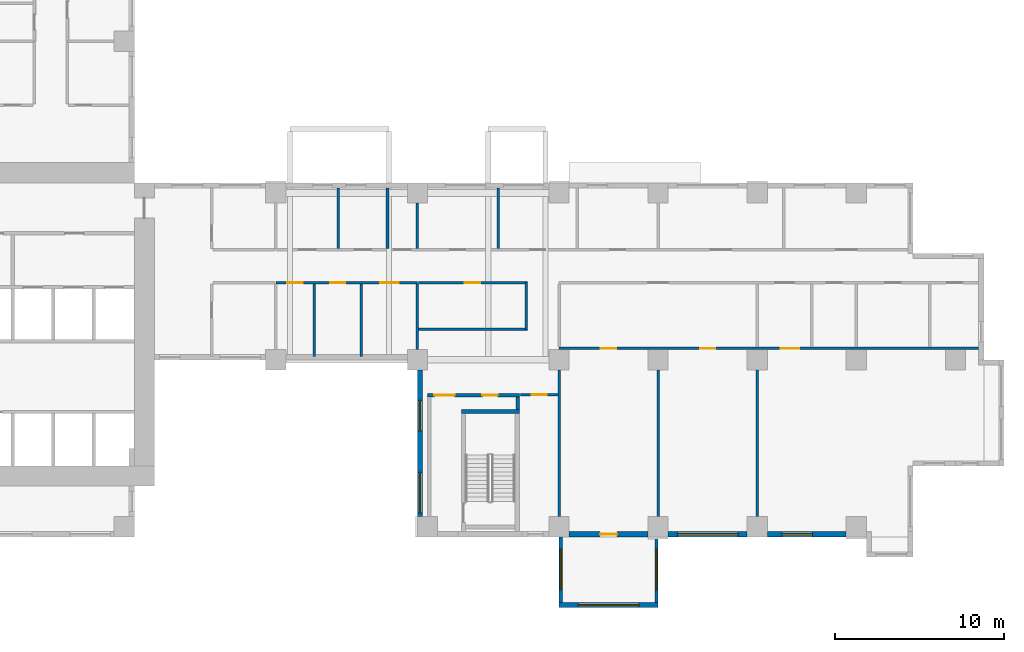
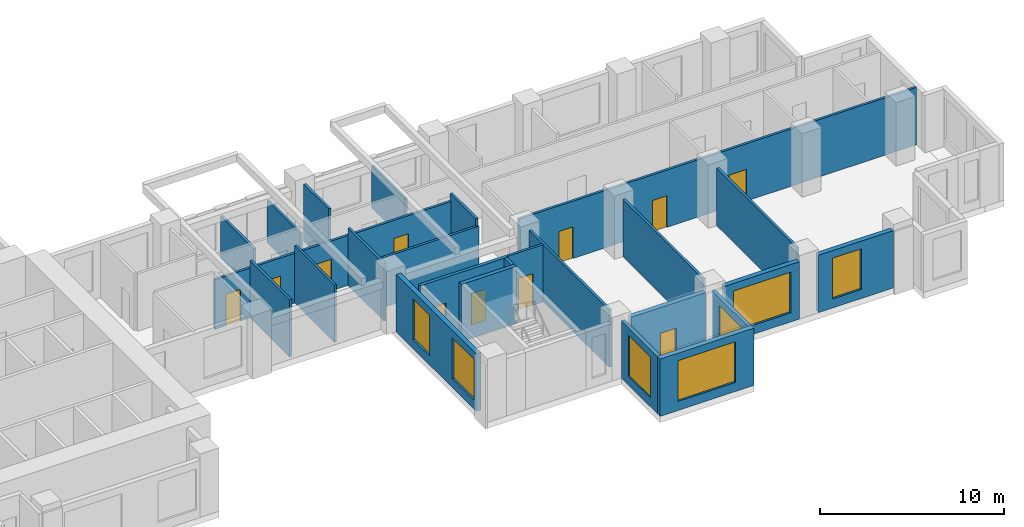
# One storey, part 8 of 18: 26 walls, 11 doors, 7 windows, 18 openings.
"""IFC4 building model written with IfcOpenShell, lengths in metres."""

from ifc_helpers import new_model, si_unit, direction, frame, frame_2d, origin, place, context, subcontext, project, spatial, rectangle, extrude, source, transform, mapped, material, layer, layer_set, type_object, element, fill, save


model = new_model("IFC4")

# Units and contexts
model_context = context("Model", 3, precision=1e-05, world=origin(), true_north=direction((0.0, 1.0)))
body_context = subcontext(model_context, "Body", "Model", "MODEL_VIEW")
ifc_project = project(units=[si_unit("LENGTHUNIT", "METRE"), si_unit("AREAUNIT", "SQUARE_METRE"), si_unit("VOLUMEUNIT", "CUBIC_METRE"), si_unit("PLANEANGLEUNIT", "RADIAN"), si_unit("MASSUNIT", "GRAM", prefix="KILO")], contexts=[model_context])

# Site, building, storey
site_placement = place(None, origin())
site = spatial("IfcSite", under=ifc_project, at=site_placement, CompositionType="ELEMENT")
building_placement = place(site_placement, origin())
building = spatial("IfcBuilding", under=site, at=building_placement, Name="Aurelian Terraces", CompositionType="ELEMENT")
storey_placement = place(building_placement, frame((0.0, 0.0, 99.3)))
storey = spatial("IfcBuildingStorey", under=building, at=storey_placement, Name="L21", CompositionType="ELEMENT", Elevation=99.3)

# Wall
ifc_material_1 = material(Name="Gypsum board on steel studs", Category="steel")
ifc_layer_1 = layer(ifc_material_1, 0.15)
ifc_layer_set_1 = layer_set([ifc_layer_1], Name="Partition 150")
wall_type_1 = type_object("IfcWallType", Name="Partition 150", PredefinedType="PARTITIONING", material=ifc_layer_set_1)
wall_1_placement = place(storey_placement, frame((37.875, 12.3, 0.0), z_axis=(0.0, 0.0, 1.0), x_axis=(1.0, 0.0, 0.0)))
element("IfcWall", 1, at=wall_1_placement, inside=storey, type_object=wall_type_1, Name="Partition", PredefinedType="PARTITIONING", context=body_context, shape_type="SweptSolid", body=[
    extrude(rectangle(XDim=6.45, YDim=0.15, at=frame_2d((3.225, 0.0))), origin(), (0.0, 0.0, 1.0), 3.3),
])

# Wall, opening, door
ifc_material_2 = material(Name="Terracotta rainscreen cladding", Category="masonry")
ifc_layer_2 = layer(ifc_material_2, 0.3)
ifc_layer_set_2 = layer_set([ifc_layer_2], Name="EW-300")
wall_type_2 = type_object("IfcWallType", Name="EW-300", PredefinedType="STANDARD", material=ifc_layer_set_2)
shared_shape_1 = source(origin(), body_context, "Body", "SweptSolid", [
    extrude(rectangle(XDim=4.68, YDim=0.3, at=frame_2d((2.34, 0.0))), origin(), (0.0, 0.0, 1.0), 3.8),
])
wall_2_placement = place(storey_placement, frame((46.8, 0.15, 0.0), z_axis=(0.0, 0.0, 1.0), x_axis=(1.0, 0.0, 0.0)))
wall_2 = element("IfcWall", 2, at=wall_2_placement, inside=storey, type_object=wall_type_2, Name="External wall L21 F05.10", PredefinedType="STANDARD", context=body_context, shape_type="MappedRepresentation", body=[
    mapped(shared_shape_1, transform((0.0, 0.0, 0.0), scale=1.0)),
])
shared_shape_2 = source(origin(), body_context, "Body", "SweptSolid", [
    extrude(rectangle(XDim=1.0, YDim=2.1, at=frame_2d((0.5, 1.05))), frame((0.0, 0.16, 0.0), z_axis=(0.0, -1.0, 0.0), x_axis=(1.0, 0.0, 0.0)), (0.0, 0.0, 1.0), 0.32),
])
opening_1_placement = place(wall_2_placement, frame((1.84, 0.0, 0.0)))
opening_1 = element("IfcOpeningElement", 3, at=opening_1_placement, cuts=wall_2, Name="Opening 821001", PredefinedType="OPENING", context=body_context, shape_type="MappedRepresentation", body=[
    mapped(shared_shape_2, transform((0.0, 0.0, 0.0), scale=1.0)),
])
ifc_material_3 = material(Name="Timber door leaf", Category="wood")
door_type_1 = type_object("IfcDoorType", Name="Room door 1000x2100 left", OperationType="SINGLE_SWING_LEFT", PredefinedType="DOOR", material=ifc_material_3)
shared_shape_3 = source(origin(), body_context, "Body", "SweptSolid", [
    extrude(rectangle(XDim=1.0, YDim=2.1, at=frame_2d((0.5, 1.05))), frame((0.0, 0.025, 0.0), z_axis=(0.0, -1.0, 0.0), x_axis=(1.0, 0.0, 0.0)), (0.0, 0.0, 1.0), 0.05),
])
door_1_placement = place(opening_1_placement, origin())
door_1 = element("IfcDoor", 4, at=door_1_placement, inside=storey, type_object=door_type_1, Name="Door 821001", OperationType="SINGLE_SWING_LEFT", OverallHeight=2.1, OverallWidth=1.0, PredefinedType="DOOR", context=body_context, shape_type="MappedRepresentation", body=[
    mapped(shared_shape_3, transform((0.0, 0.0, 0.0), scale=1.0)),
])
fill(opening_1, door_1)

# Wall, opening, window
wall_3_placement = place(storey_placement, frame((52.68, 0.15, 0.0), z_axis=(0.0, 0.0, 1.0), x_axis=(1.0, 0.0, 0.0)))
wall_3 = element("IfcWall", 5, at=wall_3_placement, inside=storey, type_object=wall_type_2, Name="External wall L21 F05.11", PredefinedType="STANDARD", context=body_context, shape_type="MappedRepresentation", body=[
    mapped(shared_shape_1, transform((0.0, 0.0, 0.0), scale=1.0)),
])
shared_shape_4 = source(origin(), body_context, "Body", "SweptSolid", [
    extrude(rectangle(XDim=3.6, YDim=2.7, at=frame_2d((1.8, 1.35))), frame((0.0, 0.16, 0.0), z_axis=(0.0, -1.0, 0.0), x_axis=(1.0, 0.0, 0.0)), (0.0, 0.0, 1.0), 0.32),
])
opening_2_placement = place(wall_3_placement, frame((0.54, 0.0, 0.6)))
opening_2 = element("IfcOpeningElement", 6, at=opening_2_placement, cuts=wall_3, Name="Opening W3627", PredefinedType="OPENING", context=body_context, shape_type="MappedRepresentation", body=[
    mapped(shared_shape_4, transform((0.0, 0.0, 0.0), scale=1.0)),
])
ifc_material_4 = material(Name="Clear glazing", Category="glass")
window_type_1 = type_object("IfcWindowType", Name="W-3600x2700", PartitioningType="SINGLE_PANEL", PredefinedType="WINDOW", material=ifc_material_4)
shared_shape_5 = source(origin(), body_context, "Body", "SweptSolid", [
    extrude(rectangle(XDim=3.6, YDim=2.7, at=frame_2d((1.8, 1.35))), frame((0.0, 0.03, 0.0), z_axis=(0.0, -1.0, 0.0), x_axis=(1.0, 0.0, 0.0)), (0.0, 0.0, 1.0), 0.06),
])
window_1_placement = place(opening_2_placement, origin())
window_1 = element("IfcWindow", 7, at=window_1_placement, inside=storey, type_object=window_type_1, Name="Window L21 L21-F05-11-0", OverallHeight=2.7, OverallWidth=3.6, PartitioningType="SINGLE_PANEL", PredefinedType="WINDOW", context=body_context, shape_type="MappedRepresentation", body=[
    mapped(shared_shape_5, transform((0.0, 0.0, 0.0), scale=1.0)),
])
fill(opening_2, window_1)

wall_4_placement = place(storey_placement, frame((58.56, 0.15, 0.0), z_axis=(0.0, 0.0, 1.0), x_axis=(1.0, 0.0, 0.0)))
wall_4 = element("IfcWall", 8, at=wall_4_placement, inside=storey, type_object=wall_type_2, Name="External wall L21 F05.12", PredefinedType="STANDARD", context=body_context, shape_type="MappedRepresentation", body=[
    mapped(shared_shape_1, transform((0.0, 0.0, 0.0), scale=1.0)),
])
shared_shape_6 = source(origin(), body_context, "Body", "SweptSolid", [
    extrude(rectangle(XDim=1.8, YDim=2.7, at=frame_2d((0.9, 1.35))), frame((0.0, 0.16, 0.0), z_axis=(0.0, -1.0, 0.0), x_axis=(1.0, 0.0, 0.0)), (0.0, 0.0, 1.0), 0.32),
])
opening_3_placement = place(wall_4_placement, frame((0.8775, 0.0, 0.6)))
opening_3 = element("IfcOpeningElement", 9, at=opening_3_placement, cuts=wall_4, Name="Opening W1827", PredefinedType="OPENING", context=body_context, shape_type="MappedRepresentation", body=[
    mapped(shared_shape_6, transform((0.0, 0.0, 0.0), scale=1.0)),
])
window_type_2 = type_object("IfcWindowType", Name="W-1800x2700", PartitioningType="SINGLE_PANEL", PredefinedType="WINDOW", material=ifc_material_4)
shared_shape_7 = source(origin(), body_context, "Body", "SweptSolid", [
    extrude(rectangle(XDim=1.8, YDim=2.7, at=frame_2d((0.9, 1.35))), frame((0.0, 0.03, 0.0), z_axis=(0.0, -1.0, 0.0), x_axis=(1.0, 0.0, 0.0)), (0.0, 0.0, 1.0), 0.06),
])
window_2_placement = place(opening_3_placement, origin())
window_2 = element("IfcWindow", 10, at=window_2_placement, inside=storey, type_object=window_type_2, Name="Window L21 L21-F05-12-0", OverallHeight=2.7, OverallWidth=1.8, PartitioningType="SINGLE_PANEL", PredefinedType="WINDOW", context=body_context, shape_type="MappedRepresentation", body=[
    mapped(shared_shape_7, transform((0.0, 0.0, 0.0), scale=1.0)),
])
fill(opening_3, window_2)

ifc_material_5 = material(Name="Concrete fc' 40 MPa", Category="concrete")
ifc_layer_3 = layer(ifc_material_5, 0.2)
ifc_layer_set_3 = layer_set([ifc_layer_3], Name="BOX BEARING WALL 200")
wall_type_3 = type_object("IfcWallType", Name="BOX BEARING WALL 200", PredefinedType="SOLIDWALL", material=ifc_layer_set_3)
shared_shape_8 = source(origin(), body_context, "Body", "SweptSolid", [
    extrude(rectangle(XDim=3.9, YDim=0.2, at=frame_2d((1.95, 0.0))), origin(), (0.0, 0.0, 1.0), 3.8),
])
wall_5_placement = place(storey_placement, frame((46.3, 0.0, 0.0), z_axis=(0.0, 0.0, 1.0), x_axis=(0.0, -1.0, 0.0)))
wall_5 = element("IfcWall", 11, at=wall_5_placement, inside=storey, type_object=wall_type_3, Name="Box return L21 J28.1", PredefinedType="SOLIDWALL", context=body_context, shape_type="MappedRepresentation", body=[
    mapped(shared_shape_8, transform((0.0, 0.0, 0.0), scale=1.0)),
])
shared_shape_9 = source(origin(), body_context, "Body", "SweptSolid", [
    extrude(rectangle(XDim=2.4, YDim=2.7, at=frame_2d((1.2, 1.35))), frame((0.0, 0.11, 0.0), z_axis=(0.0, -1.0, 0.0), x_axis=(1.0, 0.0, 0.0)), (0.0, 0.0, 1.0), 0.22),
])
opening_4_placement = place(wall_5_placement, frame((0.75, 0.0, 0.6)))
opening_4 = element("IfcOpeningElement", 12, at=opening_4_placement, cuts=wall_5, Name="Opening W2427", PredefinedType="OPENING", context=body_context, shape_type="MappedRepresentation", body=[
    mapped(shared_shape_9, transform((0.0, 0.0, 0.0), scale=1.0)),
])
window_type_3 = type_object("IfcWindowType", Name="W-2400x2700", PartitioningType="SINGLE_PANEL", PredefinedType="WINDOW", material=ifc_material_4)
shared_shape_10 = source(origin(), body_context, "Body", "SweptSolid", [
    extrude(rectangle(XDim=2.4, YDim=2.7, at=frame_2d((1.2, 1.35))), frame((0.0, 0.03, 0.0), z_axis=(0.0, -1.0, 0.0), x_axis=(1.0, 0.0, 0.0)), (0.0, 0.0, 1.0), 0.06),
])
window_3_placement = place(opening_4_placement, origin())
window_3 = element("IfcWindow", 13, at=window_3_placement, inside=storey, type_object=window_type_3, Name="Window L21 J28-S1", OverallHeight=2.7, OverallWidth=2.4, PartitioningType="SINGLE_PANEL", PredefinedType="WINDOW", context=body_context, shape_type="MappedRepresentation", body=[
    mapped(shared_shape_10, transform((0.0, 0.0, 0.0), scale=1.0)),
])
fill(opening_4, window_3)

wall_6_placement = place(storey_placement, frame((51.98, 0.0, 0.0), z_axis=(0.0, 0.0, 1.0), x_axis=(0.0, -1.0, 0.0)))
wall_6 = element("IfcWall", 14, at=wall_6_placement, inside=storey, type_object=wall_type_3, Name="Box return L21 J28.2", PredefinedType="SOLIDWALL", context=body_context, shape_type="MappedRepresentation", body=[
    mapped(shared_shape_8, transform((0.0, 0.0, 0.0), scale=1.0)),
])
opening_5_placement = place(wall_6_placement, frame((0.75, 0.0, 0.6)))
opening_5 = element("IfcOpeningElement", 15, at=opening_5_placement, cuts=wall_6, Name="Opening W2427", PredefinedType="OPENING", context=body_context, shape_type="MappedRepresentation", body=[
    mapped(shared_shape_9, transform((0.0, 0.0, 0.0), scale=1.0)),
])
window_4_placement = place(opening_5_placement, origin())
window_4 = element("IfcWindow", 16, at=window_4_placement, inside=storey, type_object=window_type_3, Name="Window L21 J28-S2", OverallHeight=2.7, OverallWidth=2.4, PartitioningType="SINGLE_PANEL", PredefinedType="WINDOW", context=body_context, shape_type="MappedRepresentation", body=[
    mapped(shared_shape_10, transform((0.0, 0.0, 0.0), scale=1.0)),
])
fill(opening_5, window_4)

ifc_layer_4 = layer(ifc_material_5, 0.3)
ifc_layer_set_4 = layer_set([ifc_layer_4], Name="BOX BEARING WALL 300")
wall_type_4 = type_object("IfcWallType", Name="BOX BEARING WALL 300", PredefinedType="SOLIDWALL", material=ifc_layer_set_4)
shared_shape_11 = source(origin(), body_context, "Body", "SweptSolid", [
    extrude(rectangle(XDim=5.88, YDim=0.3, at=frame_2d((2.94, 0.0))), origin(), (0.0, 0.0, 1.0), 3.8),
])
wall_7_placement = place(storey_placement, frame((46.2, -4.05, 0.0), z_axis=(0.0, 0.0, 1.0), x_axis=(1.0, 0.0, 0.0)))
wall_7 = element("IfcWall", 17, at=wall_7_placement, inside=storey, type_object=wall_type_4, Name="Box wall L21 J28", PredefinedType="SOLIDWALL", context=body_context, shape_type="MappedRepresentation", body=[
    mapped(shared_shape_11, transform((0.0, 0.0, 0.0), scale=1.0)),
])
opening_6_placement = place(wall_7_placement, frame((1.14, 0.0, 0.6)))
opening_6 = element("IfcOpeningElement", 18, at=opening_6_placement, cuts=wall_7, Name="Opening W3627", PredefinedType="OPENING", context=body_context, shape_type="MappedRepresentation", body=[
    mapped(shared_shape_4, transform((0.0, 0.0, 0.0), scale=1.0)),
])
window_5_placement = place(opening_6_placement, origin())
window_5 = element("IfcWindow", 19, at=window_5_placement, inside=storey, type_object=window_type_1, Name="Window L21 J28-F1", OverallHeight=2.7, OverallWidth=3.6, PartitioningType="SINGLE_PANEL", PredefinedType="WINDOW", context=body_context, shape_type="MappedRepresentation", body=[
    mapped(shared_shape_5, transform((0.0, 0.0, 0.0), scale=1.0)),
])
fill(opening_6, window_5)

# Wall, openings, windows
shared_shape_12 = source(origin(), body_context, "Body", "SweptSolid", [
    extrude(rectangle(XDim=8.7, YDim=0.3, at=frame_2d((4.35, 0.0))), origin(), (0.0, 0.0, 1.0), 3.8),
])
wall_8_placement = place(storey_placement, frame((37.95, 9.9, 0.0), z_axis=(0.0, 0.0, 1.0), x_axis=(0.0, -1.0, 0.0)))
wall_8 = element("IfcWall", 20, at=wall_8_placement, inside=storey, type_object=wall_type_2, Name="External wall L21 F04.8", PredefinedType="STANDARD", context=body_context, shape_type="MappedRepresentation", body=[
    mapped(shared_shape_12, transform((0.0, 0.0, 0.0), scale=1.0)),
])
opening_7_placement = place(wall_8_placement, frame((1.8125, 0.0, 0.6)))
opening_7 = element("IfcOpeningElement", 21, at=opening_7_placement, cuts=wall_8, Name="Opening W1827", PredefinedType="OPENING", context=body_context, shape_type="MappedRepresentation", body=[
    mapped(shared_shape_6, transform((0.0, 0.0, 0.0), scale=1.0)),
])
shared_shape_13 = source(origin(), body_context, "Body", "SweptSolid", [
    extrude(rectangle(XDim=2.4, YDim=2.7, at=frame_2d((1.2, 1.35))), frame((0.0, 0.16, 0.0), z_axis=(0.0, -1.0, 0.0), x_axis=(1.0, 0.0, 0.0)), (0.0, 0.0, 1.0), 0.32),
])
opening_8_placement = place(wall_8_placement, frame((6.075, 0.0, 0.6)))
opening_8 = element("IfcOpeningElement", 22, at=opening_8_placement, cuts=wall_8, Name="Opening W2427", PredefinedType="OPENING", context=body_context, shape_type="MappedRepresentation", body=[
    mapped(shared_shape_13, transform((0.0, 0.0, 0.0), scale=1.0)),
])
window_6_placement = place(opening_8_placement, origin())
window_6 = element("IfcWindow", 23, at=window_6_placement, inside=storey, type_object=window_type_3, Name="Window L21 L21-F04-08-1", OverallHeight=2.7, OverallWidth=2.4, PartitioningType="SINGLE_PANEL", PredefinedType="WINDOW", context=body_context, shape_type="MappedRepresentation", body=[
    mapped(shared_shape_10, transform((0.0, 0.0, 0.0), scale=1.0)),
])
fill(opening_8, window_6)
window_7_placement = place(opening_7_placement, origin())
window_7 = element("IfcWindow", 24, at=window_7_placement, inside=storey, type_object=window_type_2, Name="Window L21 L21-F04-08-0", OverallHeight=2.7, OverallWidth=1.8, PartitioningType="SINGLE_PANEL", PredefinedType="WINDOW", context=body_context, shape_type="MappedRepresentation", body=[
    mapped(shared_shape_7, transform((0.0, 0.0, 0.0), scale=1.0)),
])
fill(opening_7, window_7)

# Wall
ifc_layer_5 = layer(ifc_material_5, 0.25)
ifc_layer_set_5 = layer_set([ifc_layer_5], Name="Stair enclosure wall 250")
wall_type_5 = type_object("IfcWallType", Name="Stair enclosure wall 250", PredefinedType="SOLIDWALL", material=ifc_layer_set_5)
shared_shape_14 = source(origin(), body_context, "Body", "SweptSolid", [
    extrude(rectangle(XDim=3.45, YDim=0.25, at=frame_2d((1.725, 0.0))), origin(), (0.0, 0.0, 1.0), 3.8),
])
wall_9_placement = place(storey_placement, frame((40.4, 7.425, 0.0), z_axis=(0.0, 0.0, 1.0), x_axis=(1.0, 0.0, 0.0)))
element("IfcWall", 25, at=wall_9_placement, inside=storey, type_object=wall_type_5, Name="L21 core wall ST-S2-N", PredefinedType="SOLIDWALL", context=body_context, shape_type="MappedRepresentation", body=[
    mapped(shared_shape_14, transform((0.0, 0.0, 0.0), scale=1.0)),
])

# Wall, openings, doors
ifc_layer_6 = layer(ifc_material_1, 0.2)
ifc_layer_set_6 = layer_set([ifc_layer_6], Name="Core partition 200")
wall_type_6 = type_object("IfcWallType", Name="Core partition 200", PredefinedType="PARTITIONING", material=ifc_layer_set_6)
shared_shape_15 = source(origin(), body_context, "Body", "SweptSolid", [
    extrude(rectangle(XDim=5.45, YDim=0.2, at=frame_2d((2.725, 0.0))), origin(), (0.0, 0.0, 1.0), 3.8),
])
wall_10_placement = place(storey_placement, frame((38.4, 8.4, 0.0), z_axis=(0.0, 0.0, 1.0), x_axis=(1.0, 0.0, 0.0)))
wall_10 = element("IfcWall", 26, at=wall_10_placement, inside=storey, type_object=wall_type_6, Name="L21 core wall ST-S2-BN", PredefinedType="PARTITIONING", context=body_context, shape_type="MappedRepresentation", body=[
    mapped(shared_shape_15, transform((0.0, 0.0, 0.0), scale=1.0)),
])
shared_shape_16 = source(origin(), body_context, "Body", "SweptSolid", [
    extrude(rectangle(XDim=1.2, YDim=2.1, at=frame_2d((0.6, 1.05))), frame((0.0, 0.11, 0.0), z_axis=(0.0, -1.0, 0.0), x_axis=(1.0, 0.0, 0.0)), (0.0, 0.0, 1.0), 0.22),
])
opening_9_placement = place(wall_10_placement, frame((0.4, 0.0, 0.0)))
opening_9 = element("IfcOpeningElement", 27, at=opening_9_placement, cuts=wall_10, Name="Opening 62415", PredefinedType="OPENING", context=body_context, shape_type="MappedRepresentation", body=[
    mapped(shared_shape_16, transform((0.0, 0.0, 0.0), scale=1.0)),
])
shared_shape_17 = source(origin(), body_context, "Body", "SweptSolid", [
    extrude(rectangle(XDim=0.9, YDim=2.1, at=frame_2d((0.45, 1.05))), frame((0.0, 0.11, 0.0), z_axis=(0.0, -1.0, 0.0), x_axis=(1.0, 0.0, 0.0)), (0.0, 0.0, 1.0), 0.22),
])
opening_10_placement = place(wall_10_placement, frame((3.25, 0.0, 0.0)))
opening_10 = element("IfcOpeningElement", 28, at=opening_10_placement, cuts=wall_10, Name="Opening 62416", PredefinedType="OPENING", context=body_context, shape_type="MappedRepresentation", body=[
    mapped(shared_shape_17, transform((0.0, 0.0, 0.0), scale=1.0)),
])
ifc_material_6 = material(Name="Steel door leaf", Category="steel")
door_type_2 = type_object("IfcDoorType", Name="Core riser door 900x2100", OperationType="SINGLE_SWING_LEFT", PredefinedType="DOOR", material=ifc_material_6)
shared_shape_18 = source(origin(), body_context, "Body", "SweptSolid", [
    extrude(rectangle(XDim=0.9, YDim=2.1, at=frame_2d((0.45, 1.05))), frame((0.0, 0.025, 0.0), z_axis=(0.0, -1.0, 0.0), x_axis=(1.0, 0.0, 0.0)), (0.0, 0.0, 1.0), 0.05),
])
door_2_placement = place(opening_10_placement, origin())
door_2 = element("IfcDoor", 29, at=door_2_placement, inside=storey, type_object=door_type_2, Name="Riser door 62416", OperationType="SINGLE_SWING_LEFT", OverallHeight=2.1, OverallWidth=0.9, PredefinedType="DOOR", context=body_context, shape_type="MappedRepresentation", body=[
    mapped(shared_shape_18, transform((0.0, 0.0, 0.0), scale=1.0)),
])
fill(opening_10, door_2)
door_type_3 = type_object("IfcDoorType", Name="Core fire door 1200x2100 right", OperationType="SINGLE_SWING_RIGHT", PredefinedType="DOOR", material=ifc_material_6)
shared_shape_19 = source(origin(), body_context, "Body", "SweptSolid", [
    extrude(rectangle(XDim=1.2, YDim=2.1, at=frame_2d((0.6, 1.05))), frame((0.0, 0.025, 0.0), z_axis=(0.0, -1.0, 0.0), x_axis=(1.0, 0.0, 0.0)), (0.0, 0.0, 1.0), 0.05),
])
door_3_placement = place(opening_9_placement, origin())
door_3 = element("IfcDoor", 30, at=door_3_placement, inside=storey, type_object=door_type_3, Name="Vestibule door 62415", OperationType="SINGLE_SWING_RIGHT", OverallHeight=2.1, OverallWidth=1.2, PredefinedType="DOOR", context=body_context, shape_type="MappedRepresentation", body=[
    mapped(shared_shape_19, transform((0.0, 0.0, 0.0), scale=1.0)),
])
fill(opening_9, door_3)

# Walls
shared_shape_20 = source(origin(), body_context, "Body", "SweptSolid", [
    extrude(rectangle(XDim=0.75, YDim=0.2, at=frame_2d((0.375, 0.0))), origin(), (0.0, 0.0, 1.0), 3.8),
])
wall_11_placement = place(storey_placement, frame((43.75, 7.55, 0.0), z_axis=(0.0, 0.0, 1.0), x_axis=(0.0, 1.0, 0.0)))
element("IfcWall", 31, at=wall_11_placement, inside=storey, type_object=wall_type_6, Name="L21 core wall ST-S2-RE", PredefinedType="PARTITIONING", context=body_context, shape_type="MappedRepresentation", body=[
    mapped(shared_shape_20, transform((0.0, 0.0, 0.0), scale=1.0)),
])
shared_shape_21 = source(origin(), body_context, "Body", "SweptSolid", [
    extrude(rectangle(XDim=8.702, YDim=0.15, at=frame_2d((4.351, 0.0))), origin(), (0.0, 0.0, 1.0), 3.8),
])
for number, where, z_axis, x_axis, name in (
    (32, (52.08, 1.199, 0.0), (0.0, 0.0, 1.0), (0.0, 1.0, 0.0), "Partition"),
    (33, (46.2, 1.199, 0.0), (0.0, 0.0, 1.0), (0.0, 1.0, 0.0), "Partition"),
    (34, (57.96, 1.199, 0.0), (0.0, 0.0, 1.0), (0.0, 1.0, 0.0), "Partition"),
):
    element("IfcWall", number, at=place(storey_placement, frame(where, z_axis=z_axis, x_axis=x_axis)), inside=storey, type_object=wall_type_1, Name=name, PredefinedType="PARTITIONING", context=body_context, shape_type="MappedRepresentation", body=[
        mapped(shared_shape_21, transform((0.0, 0.0, 0.0), scale=1.0)),
    ])
shared_shape_22 = source(origin(), body_context, "Body", "SweptSolid", [
    extrude(rectangle(XDim=2.701, YDim=0.15, at=frame_2d((1.3505, 0.0))), origin(), (0.0, 0.0, 1.0), 3.8),
])
wall_12_placement = place(storey_placement, frame((37.8, 17.1, 0.0), z_axis=(0.0, 0.0, 1.0), x_axis=(0.0, 1.0, 0.0)))
element("IfcWall", 35, at=wall_12_placement, inside=storey, type_object=wall_type_1, Name="Partition", PredefinedType="PARTITIONING", context=body_context, shape_type="MappedRepresentation", body=[
    mapped(shared_shape_22, transform((0.0, 0.0, 0.0), scale=1.0)),
])

# Wall, openings, doors
shared_shape_23 = source(origin(), body_context, "Body", "SweptSolid", [
    extrude(rectangle(XDim=24.9, YDim=0.15, at=frame_2d((12.45, 0.0))), origin(), (0.0, 0.0, 1.0), 3.8),
])
wall_13_placement = place(storey_placement, frame((71.1, 11.175, 0.0), z_axis=(0.0, 0.0, 1.0), x_axis=(-1.0, 0.0, 0.0)))
wall_13 = element("IfcWall", 36, at=wall_13_placement, inside=storey, type_object=wall_type_1, Name="Partition", PredefinedType="PARTITIONING", context=body_context, shape_type="MappedRepresentation", body=[
    mapped(shared_shape_23, transform((0.0, 0.0, 0.0), scale=1.0)),
])
shared_shape_24 = source(origin(), body_context, "Body", "SweptSolid", [
    extrude(rectangle(XDim=0.9, YDim=2.1, at=frame_2d((0.45, 1.05))), frame((0.0, 0.085, 0.0), z_axis=(0.0, -1.0, 0.0), x_axis=(1.0, 0.0, 0.0)), (0.0, 0.0, 1.0), 0.17),
])
opening_11_placement = place(wall_13_placement, frame((21.5125, 0.0, 0.0)))
opening_11 = element("IfcOpeningElement", 37, at=opening_11_placement, cuts=wall_13, Name="Opening 721009", PredefinedType="OPENING", context=body_context, shape_type="MappedRepresentation", body=[
    mapped(shared_shape_24, transform((0.0, 0.0, 0.0), scale=1.0)),
])
opening_12_placement = place(wall_13_placement, frame((15.6325, 0.0, 0.0)))
opening_12 = element("IfcOpeningElement", 38, at=opening_12_placement, cuts=wall_13, Name="Opening 721010", PredefinedType="OPENING", context=body_context, shape_type="MappedRepresentation", body=[
    mapped(shared_shape_24, transform((0.0, 0.0, 0.0), scale=1.0)),
])
shared_shape_25 = source(origin(), body_context, "Body", "SweptSolid", [
    extrude(rectangle(XDim=1.1, YDim=2.1, at=frame_2d((0.55, 1.05))), frame((0.0, 0.085, 0.0), z_axis=(0.0, -1.0, 0.0), x_axis=(1.0, 0.0, 0.0)), (0.0, 0.0, 1.0), 0.17),
])
opening_13_placement = place(wall_13_placement, frame((10.6541, 0.0, 0.0)))
opening_13 = element("IfcOpeningElement", 39, at=opening_13_placement, cuts=wall_13, Name="Opening 721012", PredefinedType="OPENING", context=body_context, shape_type="MappedRepresentation", body=[
    mapped(shared_shape_25, transform((0.0, 0.0, 0.0), scale=1.0)),
])
door_type_4 = type_object("IfcDoorType", Name="Room door 900x2100 left", OperationType="SINGLE_SWING_LEFT", PredefinedType="DOOR", material=ifc_material_3)
door_4_placement = place(opening_11_placement, origin())
door_4 = element("IfcDoor", 40, at=door_4_placement, inside=storey, type_object=door_type_4, Name="Door 721009", OperationType="SINGLE_SWING_LEFT", OverallHeight=2.1, OverallWidth=0.9, PredefinedType="DOOR", context=body_context, shape_type="MappedRepresentation", body=[
    mapped(shared_shape_18, transform((0.0, 0.0, 0.0), scale=1.0)),
])
fill(opening_11, door_4)
door_type_5 = type_object("IfcDoorType", Name="Room door 900x2100 right", OperationType="SINGLE_SWING_RIGHT", PredefinedType="DOOR", material=ifc_material_3)
door_5_placement = place(opening_12_placement, origin())
door_5 = element("IfcDoor", 41, at=door_5_placement, inside=storey, type_object=door_type_5, Name="Door 721010", OperationType="SINGLE_SWING_RIGHT", OverallHeight=2.1, OverallWidth=0.9, PredefinedType="DOOR", context=body_context, shape_type="MappedRepresentation", body=[
    mapped(shared_shape_18, transform((0.0, 0.0, 0.0), scale=1.0)),
])
fill(opening_12, door_5)
door_type_6 = type_object("IfcDoorType", Name="Room door 1100x2100 left", OperationType="SINGLE_SWING_LEFT", PredefinedType="DOOR", material=ifc_material_3)
shared_shape_26 = source(origin(), body_context, "Body", "SweptSolid", [
    extrude(rectangle(XDim=1.1, YDim=2.1, at=frame_2d((0.55, 1.05))), frame((0.0, 0.025, 0.0), z_axis=(0.0, -1.0, 0.0), x_axis=(1.0, 0.0, 0.0)), (0.0, 0.0, 1.0), 0.05),
])
door_6_placement = place(opening_13_placement, origin())
door_6 = element("IfcDoor", 42, at=door_6_placement, inside=storey, type_object=door_type_6, Name="Door 721012", OperationType="SINGLE_SWING_LEFT", OverallHeight=2.1, OverallWidth=1.1, PredefinedType="DOOR", context=body_context, shape_type="MappedRepresentation", body=[
    mapped(shared_shape_26, transform((0.0, 0.0, 0.0), scale=1.0)),
])
fill(opening_13, door_6)

# Wall
shared_shape_27 = source(origin(), body_context, "Body", "SweptSolid", [
    extrude(rectangle(XDim=3.901, YDim=0.15, at=frame_2d((1.9505, 0.0))), origin(), (0.0, 0.0, 1.0), 3.8),
])
wall_14_placement = place(storey_placement, frame((37.8, 11.099, 0.0), z_axis=(0.0, 0.0, 1.0), x_axis=(0.0, 1.0, 0.0)))
element("IfcWall", 43, at=wall_14_placement, inside=storey, type_object=wall_type_1, Name="Partition", PredefinedType="PARTITIONING", context=body_context, shape_type="MappedRepresentation", body=[
    mapped(shared_shape_27, transform((0.0, 0.0, 0.0), scale=1.0)),
])

# Wall, opening, door
shared_shape_28 = source(origin(), body_context, "Body", "SweptSolid", [
    extrude(rectangle(XDim=2.2, YDim=0.15, at=frame_2d((1.1, 0.0))), origin(), (0.0, 0.0, 1.0), 3.8),
])
wall_15_placement = place(storey_placement, frame((46.125, 8.425, 0.0), z_axis=(0.0, 0.0, 1.0), x_axis=(-1.0, 0.0, 0.0)))
wall_15 = element("IfcWall", 44, at=wall_15_placement, inside=storey, type_object=wall_type_1, Name="Partition", PredefinedType="PARTITIONING", context=body_context, shape_type="MappedRepresentation", body=[
    mapped(shared_shape_28, transform((0.0, 0.0, 0.0), scale=1.0)),
])
opening_14_placement = place(wall_15_placement, frame((0.65, 0.0, 0.0)))
opening_14 = element("IfcOpeningElement", 45, at=opening_14_placement, cuts=wall_15, Name="Opening 721004", PredefinedType="OPENING", context=body_context, shape_type="MappedRepresentation", body=[
    mapped(shared_shape_24, transform((0.0, 0.0, 0.0), scale=1.0)),
])
door_7_placement = place(opening_14_placement, origin())
door_7 = element("IfcDoor", 46, at=door_7_placement, inside=storey, type_object=door_type_4, Name="Door 721004", OperationType="SINGLE_SWING_LEFT", OverallHeight=2.1, OverallWidth=0.9, PredefinedType="DOOR", context=body_context, shape_type="MappedRepresentation", body=[
    mapped(shared_shape_18, transform((0.0, 0.0, 0.0), scale=1.0)),
])
fill(opening_14, door_7)

# Walls
shared_shape_29 = source(origin(), body_context, "Body", "SweptSolid", [
    extrude(rectangle(XDim=3.6, YDim=0.15, at=frame_2d((1.8, 0.0))), origin(), (0.0, 0.0, 1.0), 2.8),
])
for number, where, z_axis, x_axis, name in (
    (47, (33.1133, 20.7, 0.0), (0.0, 0.0, 1.0), (0.0, -1.0, 0.0), "Partition"),
    (48, (36.024, 20.7, 0.0), (0.0, 0.0, 1.0), (0.0, -1.0, 0.0), "Partition"),
    (49, (42.585, 20.7, 0.0), (0.0, 0.0, 1.0), (0.0, -1.0, 0.0), "Partition"),
):
    element("IfcWall", number, at=place(storey_placement, frame(where, z_axis=z_axis, x_axis=x_axis)), inside=storey, type_object=wall_type_1, Name=name, PredefinedType="PARTITIONING", context=body_context, shape_type="MappedRepresentation", body=[
        mapped(shared_shape_29, transform((0.0, 0.0, 0.0), scale=1.0)),
    ])

# Wall, openings, doors
ifc_layer_7 = layer(ifc_material_1, 0.15)
ifc_layer_set_7 = layer_set([ifc_layer_7], Name="Fire partition 150")
wall_type_7 = type_object("IfcWallType", Name="Fire partition 150", PredefinedType="PARTITIONING", material=ifc_layer_set_7)
shared_shape_30 = source(origin(), body_context, "Body", "SweptSolid", [
    extrude(rectangle(XDim=8.4, YDim=0.15, at=frame_2d((4.2, 0.0))), origin(), (0.0, 0.0, 1.0), 3.3),
])
wall_16_placement = place(storey_placement, frame((37.8, 15.075, 0.0), z_axis=(0.0, 0.0, 1.0), x_axis=(-1.0, 0.0, 0.0)))
wall_16 = element("IfcWall", 50, at=wall_16_placement, inside=storey, type_object=wall_type_7, Name="Corridor wall", PredefinedType="PARTITIONING", context=body_context, shape_type="MappedRepresentation", body=[
    mapped(shared_shape_30, transform((0.0, 0.0, 0.0), scale=1.0)),
])
opening_15_placement = place(wall_16_placement, frame((1.1146, 0.0, 0.0)))
opening_15 = element("IfcOpeningElement", 51, at=opening_15_placement, cuts=wall_16, Name="Opening 721005", PredefinedType="OPENING", context=body_context, shape_type="MappedRepresentation", body=[
    mapped(shared_shape_25, transform((0.0, 0.0, 0.0), scale=1.0)),
])
opening_16_placement = place(wall_16_placement, frame((6.8178, 0.0, 0.0)))
opening_16 = element("IfcOpeningElement", 52, at=opening_16_placement, cuts=wall_16, Name="Opening 721006", PredefinedType="OPENING", context=body_context, shape_type="MappedRepresentation", body=[
    mapped(shared_shape_24, transform((0.0, 0.0, 0.0), scale=1.0)),
])
opening_17_placement = place(wall_16_placement, frame((4.2824, 0.0, 0.0)))
opening_17 = element("IfcOpeningElement", 53, at=opening_17_placement, cuts=wall_16, Name="Opening 721007", PredefinedType="OPENING", context=body_context, shape_type="MappedRepresentation", body=[
    mapped(shared_shape_24, transform((0.0, 0.0, 0.0), scale=1.0)),
])
door_8_placement = place(opening_16_placement, origin())
door_8 = element("IfcDoor", 54, at=door_8_placement, inside=storey, type_object=door_type_5, Name="Door 721006", OperationType="SINGLE_SWING_RIGHT", OverallHeight=2.1, OverallWidth=0.9, PredefinedType="DOOR", context=body_context, shape_type="MappedRepresentation", body=[
    mapped(shared_shape_18, transform((0.0, 0.0, 0.0), scale=1.0)),
])
fill(opening_16, door_8)
door_9_placement = place(opening_17_placement, origin())
door_9 = element("IfcDoor", 55, at=door_9_placement, inside=storey, type_object=door_type_4, Name="Door 721007", OperationType="SINGLE_SWING_LEFT", OverallHeight=2.1, OverallWidth=0.9, PredefinedType="DOOR", context=body_context, shape_type="MappedRepresentation", body=[
    mapped(shared_shape_18, transform((0.0, 0.0, 0.0), scale=1.0)),
])
fill(opening_17, door_9)
door_type_7 = type_object("IfcDoorType", Name="Room door 1100x2100 right", OperationType="SINGLE_SWING_RIGHT", PredefinedType="DOOR", material=ifc_material_3)
door_10_placement = place(opening_15_placement, origin())
door_10 = element("IfcDoor", 56, at=door_10_placement, inside=storey, type_object=door_type_7, Name="Door 721005", OperationType="SINGLE_SWING_RIGHT", OverallHeight=2.1, OverallWidth=1.1, PredefinedType="DOOR", context=body_context, shape_type="MappedRepresentation", body=[
    mapped(shared_shape_26, transform((0.0, 0.0, 0.0), scale=1.0)),
])
fill(opening_15, door_10)

# Walls
shared_shape_31 = source(origin(), body_context, "Body", "SweptSolid", [
    extrude(rectangle(XDim=4.295, YDim=0.15, at=frame_2d((2.1475, 0.0))), origin(), (0.0, 0.0, 1.0), 3.8),
])
for number, where, z_axis, x_axis, name in (
    (57, (31.6645, 10.705, 0.0), (0.0, 0.0, 1.0), (0.0, 1.0, 0.0), "Partition"),
    (58, (34.4708, 10.705, 0.0), (0.0, 0.0, 1.0), (0.0, 1.0, 0.0), "Partition"),
):
    element("IfcWall", number, at=place(storey_placement, frame(where, z_axis=z_axis, x_axis=x_axis)), inside=storey, type_object=wall_type_1, Name=name, PredefinedType="PARTITIONING", context=body_context, shape_type="MappedRepresentation", body=[
        mapped(shared_shape_31, transform((0.0, 0.0, 0.0), scale=1.0)),
    ])
shared_shape_32 = source(origin(), body_context, "Body", "SweptSolid", [
    extrude(rectangle(XDim=2.775, YDim=0.15, at=frame_2d((1.3875, 0.0))), origin(), (0.0, 0.0, 1.0), 3.8),
])
wall_17_placement = place(storey_placement, frame((44.25, 12.3, 0.0), z_axis=(0.0, 0.0, 1.0), x_axis=(0.0, 1.0, 0.0)))
element("IfcWall", 59, at=wall_17_placement, inside=storey, type_object=wall_type_1, Name="Partition", PredefinedType="PARTITIONING", context=body_context, shape_type="MappedRepresentation", body=[
    mapped(shared_shape_32, transform((0.0, 0.0, 0.0), scale=1.0)),
])

# Wall, opening, door
shared_shape_33 = source(origin(), body_context, "Body", "SweptSolid", [
    extrude(rectangle(XDim=6.45, YDim=0.15, at=frame_2d((3.225, 0.0))), origin(), (0.0, 0.0, 1.0), 3.3),
])
wall_18_placement = place(storey_placement, frame((44.325, 15.075, 0.0), z_axis=(0.0, 0.0, 1.0), x_axis=(-1.0, 0.0, 0.0)))
wall_18 = element("IfcWall", 60, at=wall_18_placement, inside=storey, type_object=wall_type_7, Name="Corridor wall", PredefinedType="PARTITIONING", context=body_context, shape_type="MappedRepresentation", body=[
    mapped(shared_shape_33, transform((0.0, 0.0, 0.0), scale=1.0)),
])
opening_18_placement = place(wall_18_placement, frame((2.8125, 0.0, 0.0)))
opening_18 = element("IfcOpeningElement", 61, at=opening_18_placement, cuts=wall_18, Name="Opening 721003", PredefinedType="OPENING", context=body_context, shape_type="MappedRepresentation", body=[
    mapped(shared_shape_24, transform((0.0, 0.0, 0.0), scale=1.0)),
])
door_11_placement = place(opening_18_placement, origin())
door_11 = element("IfcDoor", 62, at=door_11_placement, inside=storey, type_object=door_type_4, Name="Door 721003", OperationType="SINGLE_SWING_LEFT", OverallHeight=2.1, OverallWidth=0.9, PredefinedType="DOOR", context=body_context, shape_type="MappedRepresentation", body=[
    mapped(shared_shape_18, transform((0.0, 0.0, 0.0), scale=1.0)),
])
fill(opening_18, door_11)

save(model, "model.ifc")
